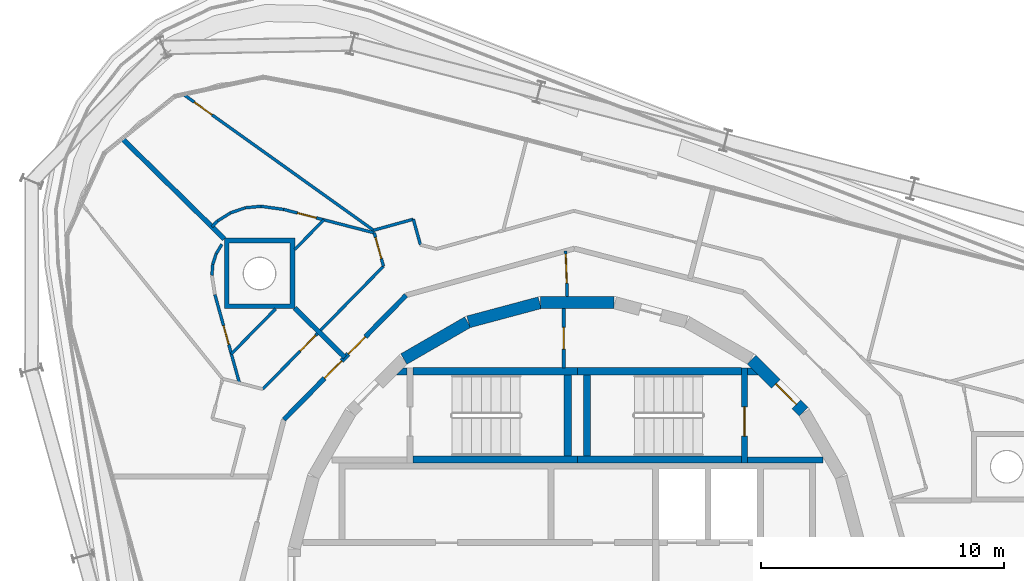
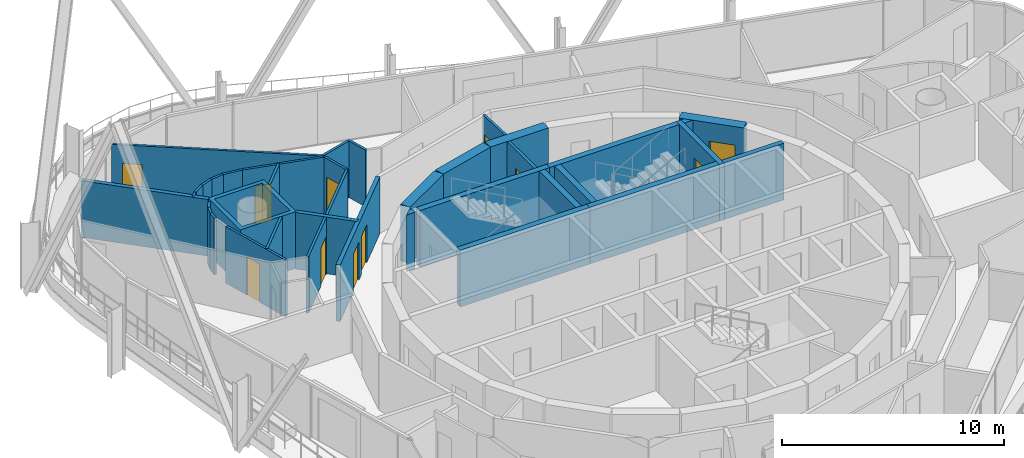
# One storey, part 13 of 18: 37 walls, 11 doors, 11 openings.
"""IFC4 building model written with IfcOpenShell, lengths in metres."""

from ifc_helpers import new_model, si_unit, direction, frame, frame_2d, origin, place, context, subcontext, project, spatial, polyline, rectangle, outline, extrude, material, layer, layer_set, type_object, element, fill, save


model = new_model("IFC4")

# Units and contexts
model_context = context("Model", 3, precision=1e-05, world=origin(), true_north=direction((0.0, 1.0)))
body_context = subcontext(model_context, "Body", "Model", "MODEL_VIEW")
ifc_project = project(units=[si_unit("LENGTHUNIT", "METRE"), si_unit("AREAUNIT", "SQUARE_METRE"), si_unit("VOLUMEUNIT", "CUBIC_METRE"), si_unit("PLANEANGLEUNIT", "RADIAN"), si_unit("MASSUNIT", "GRAM", prefix="KILO")], contexts=[model_context])

# Site, building, storey
site_placement = place(None, origin())
site = spatial("IfcSite", under=ifc_project, at=site_placement, CompositionType="ELEMENT")
building_placement = place(site_placement, origin())
building = spatial("IfcBuilding", under=site, at=building_placement, Name="Spindle Arch Residences", CompositionType="ELEMENT")
storey_placement = place(building_placement, frame((0.0, 0.0, 298.199951171875)))
storey = spatial("IfcBuildingStorey", under=building, at=storey_placement, Name="L76", CompositionType="ELEMENT", Elevation=298.199951171875)

# Wall, opening, door
ifc_material_1 = material(Name="Concrete C50/60", Category="concrete")
ifc_layer_1 = layer(ifc_material_1, 0.5)
ifc_layer_set_1 = layer_set([ifc_layer_1], Name="Core outline wall 500")
wall_type_1 = type_object("IfcWallType", Name="Core outline wall 500", PredefinedType="SHEAR", material=ifc_layer_set_1)
wall_1_placement = place(storey_placement, frame((9.30810546875, 7.163818359375, 0.0), z_axis=(0.0, 0.0, 1.0), x_axis=(-0.707106781187, 0.707106781187, 0.0)))
wall_1 = element("IfcWall", 1, at=wall_1_placement, inside=storey, type_object=wall_type_1, Name="Core outline wall 9", PredefinedType="SHEAR", context=body_context, shape_type="SweptSolid", body=[
    extrude(rectangle(XDim=3.032470703125, YDim=0.5, at=frame_2d((1.51611328125, 0.0))), origin(), (0.0, 0.0, 1.0), 3.1201171875),
])
opening_1_placement = place(wall_1_placement, frame((0.416259765625, 0.0, 0.0)))
opening_1 = element("IfcOpeningElement", 2, at=opening_1_placement, cuts=wall_1, Name="Opening R8A0-AD01", PredefinedType="OPENING", context=body_context, shape_type="SweptSolid", body=[
    extrude(rectangle(XDim=1.199951171875, YDim=2.10009765625, at=frame_2d((0.60009765625, 1.050048828125))), frame((0.0, 0.260009765625, 0.0), z_axis=(0.0, -1.0, 0.0), x_axis=(1.0, 0.0, 0.0)), (0.0, 0.0, 1.0), 0.52001953125),
])
ifc_material_2 = material(Name="Steel, fire-resisting door", Category="steel")
door_type_1 = type_object("IfcDoorType", Name="Stair airlock door 1200x2100", OperationType="SINGLE_SWING_LEFT", PredefinedType="DOOR", material=ifc_material_2)
door_1_placement = place(opening_1_placement, origin())
door_1 = element("IfcDoor", 3, at=door_1_placement, inside=storey, type_object=door_type_1, Name="Stair airlock door R8A0-AD01", OperationType="SINGLE_SWING_RIGHT", OverallHeight=2.10009765625, OverallWidth=1.199951171875, PredefinedType="DOOR", context=body_context, shape_type="SweptSolid", body=[
    extrude(rectangle(XDim=1.199951171875, YDim=2.10009765625, at=frame_2d((0.60009765625, 1.050048828125))), frame((0.0, 0.02490234375, 0.0), z_axis=(0.0, -1.0, 0.0), x_axis=(1.0, 0.0, 0.0)), (0.0, 0.0, 1.0), 0.050048828125),
])
fill(opening_1, door_1)

# Walls
for number, where, z_axis, x_axis, name in (
    (4, (1.516357421875, 11.647216796875, 0.0), (0.0, 0.0, 1.0), (-1.0, 0.0, 0.0), "Core outline wall 12"),
    (5, (-1.5498046875, 11.642822265625, 0.0), (0.0, 0.0, 1.0), (-0.965948410781, -0.258734743916, 0.0), "Core outline wall 13"),
    (6, (-4.510498046875, 10.84521484375, 0.0), (0.0, 0.0, 1.0), (-0.865975092491, -0.500087131594, 0.0), "Core outline wall 14"),
):
    element("IfcWall", number, at=place(storey_placement, frame(where, z_axis=z_axis, x_axis=x_axis)), inside=storey, type_object=wall_type_1, Name=name, PredefinedType="SHEAR", context=body_context, shape_type="SweptSolid", body=[
        extrude(rectangle(XDim=3.03271484375, YDim=0.5, at=frame_2d((1.516357421875, 0.0))), origin(), (0.0, 0.0, 1.0), 3.1201171875),
    ])

# Wall, opening, door
ifc_material_3 = material(Name="Plasterboard on steel studs", Category="steel")
ifc_layer_2 = layer(ifc_material_3, 0.1201171875)
ifc_layer_set_2 = layer_set([ifc_layer_2], Name="Corridor division wall 120")
wall_type_2 = type_object("IfcWallType", Name="Corridor division wall 120", PredefinedType="PARTITIONING", material=ifc_layer_set_2)
wall_2_placement = place(storey_placement, frame((-0.48095703125, 13.7724609375, 0.0), z_axis=(0.0, 0.0, 1.0), x_axis=(0.034870071203, -0.999391854146, 0.0)))
wall_2 = element("IfcWall", 7, at=wall_2_placement, inside=storey, type_object=wall_type_2, Name="Corridor division wall R8A0-W001", PredefinedType="PARTITIONING", context=body_context, shape_type="SweptSolid", body=[
    extrude(rectangle(XDim=1.87646484375, YDim=0.1201171875, at=frame_2d((0.938232421875, 0.0))), origin(), (0.0, 0.0, 1.0), 3.1201171875),
])
opening_2_placement = place(wall_2_placement, frame((0.125, 0.0, 0.0)))
opening_2 = element("IfcOpeningElement", 8, at=opening_2_placement, cuts=wall_2, Name="Opening R8A0-CD01", PredefinedType="OPENING", context=body_context, shape_type="SweptSolid", body=[
    extrude(rectangle(XDim=1.199951171875, YDim=2.10009765625, at=frame_2d((0.60009765625, 1.050048828125))), frame((0.0, 0.070068359375, 0.0), z_axis=(0.0, -1.0, 0.0), x_axis=(1.0, 0.0, 0.0)), (0.0, 0.0, 1.0), 0.14013671875),
])
ifc_material_4 = material(Name="Steel, fire-resisting door", Category="steel")
door_type_2 = type_object("IfcDoorType", Name="Corridor division door 1200x2100", OperationType="NOTDEFINED", PredefinedType="DOOR", material=ifc_material_4)
door_2_placement = place(opening_2_placement, origin())
door_2 = element("IfcDoor", 9, at=door_2_placement, inside=storey, type_object=door_type_2, Name="Corridor division door R8A0-CD01", OperationType="DOUBLE_DOOR_SINGLE_SWING", OverallHeight=2.10009765625, OverallWidth=1.199951171875, PredefinedType="DOOR", context=body_context, shape_type="SweptSolid", body=[
    extrude(rectangle(XDim=1.199951171875, YDim=2.10009765625, at=frame_2d((0.60009765625, 1.050048828125))), frame((0.0, 0.02490234375, 0.0), z_axis=(0.0, -1.0, 0.0), x_axis=(1.0, 0.0, 0.0)), (0.0, 0.0, 1.0), 0.050048828125),
])
fill(opening_2, door_2)

# Wall, openings, doors
ifc_material_5 = material(Name="Calcium silicate block, plastered")
ifc_layer_3 = layer(ifc_material_5, 0.199951171875)
ifc_layer_set_3 = layer_set([ifc_layer_3], Name="Corridor wall 200")
wall_type_3 = type_object("IfcWallType", Name="Corridor wall 200", PredefinedType="STANDARD", material=ifc_layer_set_3)
wall_3_placement = place(storey_placement, frame((-7.041015625, 11.953125, 0.0), z_axis=(0.0, 0.0, 1.0), x_axis=(-0.70090916255, -0.713250549143, 0.0)))
wall_3 = element("IfcWall", 10, at=wall_3_placement, inside=storey, type_object=wall_type_3, Name="Corridor wall R8A0-W012", PredefinedType="STANDARD", context=body_context, shape_type="SweptSolid", body=[
    extrude(rectangle(XDim=7.180908203125, YDim=0.199951171875, at=frame_2d((3.59033203125, 0.0))), origin(), (0.0, 0.0, 1.0), 3.1201171875),
])
opening_3_placement = place(wall_3_placement, frame((2.390380859375, 0.0, 0.0)))
opening_3 = element("IfcOpeningElement", 11, at=opening_3_placement, cuts=wall_3, Name="Opening R8A0-FD02", PredefinedType="OPENING", context=body_context, shape_type="SweptSolid", body=[
    extrude(rectangle(XDim=1.0, YDim=2.10009765625, at=frame_2d((0.5, 1.050048828125))), frame((0.0, 0.10986328125, 0.0), z_axis=(0.0, -1.0, 0.0), x_axis=(1.0, 0.0, 0.0)), (0.0, 0.0, 1.0), 0.219970703125),
])
opening_4_placement = place(wall_3_placement, frame((3.79052734375, 0.0, 0.0)))
opening_4 = element("IfcOpeningElement", 12, at=opening_4_placement, cuts=wall_3, Name="Opening R8A0-FD03", PredefinedType="OPENING", context=body_context, shape_type="SweptSolid", body=[
    extrude(rectangle(XDim=1.0, YDim=2.10009765625, at=frame_2d((0.5, 1.050048828125))), frame((0.0, 0.10986328125, 0.0), z_axis=(0.0, -1.0, 0.0), x_axis=(1.0, 0.0, 0.0)), (0.0, 0.0, 1.0), 0.219970703125),
])
ifc_material_6 = material(Name="Timber, fire-resisting door set", Category="wood")
door_type_3 = type_object("IfcDoorType", Name="Flat entrance door 1000x2100", OperationType="NOTDEFINED", PredefinedType="DOOR", material=ifc_material_6)
door_3_placement = place(opening_3_placement, origin())
door_3 = element("IfcDoor", 13, at=door_3_placement, inside=storey, type_object=door_type_3, Name="Flat entrance door R8A0-FD02", OperationType="SINGLE_SWING_RIGHT", OverallHeight=2.10009765625, OverallWidth=1.0, PredefinedType="DOOR", context=body_context, shape_type="SweptSolid", body=[
    extrude(rectangle(XDim=1.0, YDim=2.10009765625, at=frame_2d((0.5, 1.050048828125))), frame((0.0, 0.02490234375, 0.0), z_axis=(0.0, -1.0, 0.0), x_axis=(1.0, 0.0, 0.0)), (0.0, 0.0, 1.0), 0.050048828125),
])
fill(opening_3, door_3)
door_4_placement = place(opening_4_placement, origin())
door_4 = element("IfcDoor", 14, at=door_4_placement, inside=storey, type_object=door_type_3, Name="Flat entrance door R8A0-FD03", OperationType="SINGLE_SWING_LEFT", OverallHeight=2.10009765625, OverallWidth=1.0, PredefinedType="DOOR", context=body_context, shape_type="SweptSolid", body=[
    extrude(rectangle(XDim=1.0, YDim=2.10009765625, at=frame_2d((0.5, 1.050048828125))), frame((0.0, 0.02490234375, 0.0), z_axis=(0.0, -1.0, 0.0), x_axis=(1.0, 0.0, 0.0)), (0.0, 0.0, 1.0), 0.050048828125),
])
fill(opening_4, door_4)

# Walls
ifc_material_7 = material(Name="Plasterboard on steel studs", Category="steel")
ifc_layer_4 = layer(ifc_material_7, 0.1201171875)
ifc_layer_set_4 = layer_set([ifc_layer_4], Name="Flat partition 120")
wall_type_4 = type_object("IfcWallType", Name="Flat partition 120", PredefinedType="PARTITIONING", material=ifc_layer_set_4)
wall_4_placement = place(storey_placement, frame((-6.45458984375, 14.027587890625, 0.0), z_axis=(0.0, 0.0, 1.0), x_axis=(-0.267355376842, 0.963597998376, 0.0)))
element("IfcWall", 15, at=wall_4_placement, inside=storey, type_object=wall_type_4, Name="Flat partition R8A0-W046", PredefinedType="PARTITIONING", context=body_context, shape_type="SweptSolid", body=[
    extrude(rectangle(XDim=1.09130859375, YDim=0.1201171875, at=frame_2d((0.545654296875, 0.0))), origin(), (0.0, 0.0, 1.0), 3.1201171875),
])
wall_5_placement = place(storey_placement, frame((-6.746337890625, 15.0791015625, 0.0), z_axis=(0.0, 0.0, 1.0), x_axis=(-0.963624820233, -0.267258687102, 0.0)))
element("IfcWall", 16, at=wall_5_placement, inside=storey, type_object=wall_type_4, Name="Flat partition R8A0-W047", PredefinedType="PARTITIONING", context=body_context, shape_type="SweptSolid", body=[
    extrude(rectangle(XDim=1.699951171875, YDim=0.1201171875, at=frame_2d((0.85009765625, 0.0))), origin(), (0.0, 0.0, 1.0), 3.1201171875),
])

# Wall, opening, door
wall_6_placement = place(storey_placement, frame((-8.35498046875, 14.51904296875, 0.0), z_axis=(0.0, 0.0, 1.0), x_axis=(0.267052638692, -0.963681943469, 0.0)))
wall_6 = element("IfcWall", 17, at=wall_6_placement, inside=storey, type_object=wall_type_4, Name="Flat partition R8A0-W048", PredefinedType="PARTITIONING", context=body_context, shape_type="SweptSolid", body=[
    extrude(rectangle(XDim=1.427001953125, YDim=0.1201171875, at=frame_2d((0.71337890625, 0.0))), origin(), (0.0, 0.0, 1.0), 3.1201171875),
])
opening_5_placement = place(wall_6_placement, frame((0.199951171875, 0.0, 0.0)))
opening_5 = element("IfcOpeningElement", 18, at=opening_5_placement, cuts=wall_6, Name="Opening R8A0-ID07", PredefinedType="OPENING", context=body_context, shape_type="SweptSolid", body=[
    extrude(rectangle(XDim=0.89990234375, YDim=2.10009765625, at=frame_2d((0.449951171875, 1.050048828125))), frame((0.0, 0.070068359375, 0.0), z_axis=(0.0, -1.0, 0.0), x_axis=(1.0, 0.0, 0.0)), (0.0, 0.0, 1.0), 0.14013671875),
])
ifc_material_8 = material(Name="Timber door set", Category="wood")
door_type_4 = type_object("IfcDoorType", Name="Room door 900x2100", OperationType="NOTDEFINED", PredefinedType="DOOR", material=ifc_material_8)
door_5_placement = place(opening_5_placement, origin())
door_5 = element("IfcDoor", 19, at=door_5_placement, inside=storey, type_object=door_type_4, Name="Room door R8A0-ID07", OperationType="SINGLE_SWING_LEFT", OverallHeight=2.10009765625, OverallWidth=0.89990234375, PredefinedType="DOOR", context=body_context, shape_type="SweptSolid", body=[
    extrude(rectangle(XDim=0.89990234375, YDim=2.10009765625, at=frame_2d((0.449951171875, 1.050048828125))), frame((0.0, 0.02490234375, 0.0), z_axis=(0.0, -1.0, 0.0), x_axis=(1.0, 0.0, 0.0)), (0.0, 0.0, 1.0), 0.050048828125),
])
fill(opening_5, door_5)

wall_7_placement = place(storey_placement, frame((-7.973876953125, 13.143798828125, 0.0), z_axis=(0.0, 0.0, 1.0), x_axis=(-0.700910366085, -0.713249366432, 0.0)))
wall_7 = element("IfcWall", 20, at=wall_7_placement, inside=storey, type_object=wall_type_4, Name="Flat partition R8A0-W049", PredefinedType="PARTITIONING", context=body_context, shape_type="SweptSolid", body=[
    extrude(rectangle(XDim=7.08349609375, YDim=0.1201171875, at=frame_2d((3.541748046875, 0.0))), origin(), (0.0, 0.0, 1.0), 3.1201171875),
])
opening_6_placement = place(wall_7_placement, frame((3.986083984375, 0.0, 0.0)))
opening_6 = element("IfcOpeningElement", 21, at=opening_6_placement, cuts=wall_7, Name="Opening R8A0-ID09", PredefinedType="OPENING", context=body_context, shape_type="SweptSolid", body=[
    extrude(rectangle(XDim=0.89990234375, YDim=2.10009765625, at=frame_2d((0.449951171875, 1.050048828125))), frame((0.0, 0.070068359375, 0.0), z_axis=(0.0, -1.0, 0.0), x_axis=(1.0, 0.0, 0.0)), (0.0, 0.0, 1.0), 0.14013671875),
])
door_6_placement = place(opening_6_placement, origin())
door_6 = element("IfcDoor", 22, at=door_6_placement, inside=storey, type_object=door_type_4, Name="Room door R8A0-ID09", OperationType="SINGLE_SWING_LEFT", OverallHeight=2.10009765625, OverallWidth=0.89990234375, PredefinedType="DOOR", context=body_context, shape_type="SweptSolid", body=[
    extrude(rectangle(XDim=0.89990234375, YDim=2.10009765625, at=frame_2d((0.449951171875, 1.050048828125))), frame((0.0, 0.02490234375, 0.0), z_axis=(0.0, -1.0, 0.0), x_axis=(1.0, 0.0, 0.0)), (0.0, 0.0, 1.0), 0.050048828125),
])
fill(opening_6, door_6)

wall_8_placement = place(storey_placement, frame((-16.165283203125, 20.18798828125, 0.0), z_axis=(0.0, 0.0, 1.0), x_axis=(0.813459166979, -0.581622028175, 0.0)))
wall_8 = element("IfcWall", 23, at=wall_8_placement, inside=storey, type_object=wall_type_4, Name="Flat partition R8A0-W051", PredefinedType="PARTITIONING", context=body_context, shape_type="SweptSolid", body=[
    extrude(rectangle(XDim=9.56494140625, YDim=0.1201171875, at=frame_2d((4.782470703125, 0.0))), origin(), (0.0, 0.0, 1.0), 3.1201171875),
])
opening_7_placement = place(wall_8_placement, frame((0.5, 0.0, 0.0)))
opening_7 = element("IfcOpeningElement", 24, at=opening_7_placement, cuts=wall_8, Name="Opening R8A0-ID08", PredefinedType="OPENING", context=body_context, shape_type="SweptSolid", body=[
    extrude(rectangle(XDim=0.89990234375, YDim=2.10009765625, at=frame_2d((0.449951171875, 1.050048828125))), frame((0.0, 0.070068359375, 0.0), z_axis=(0.0, -1.0, 0.0), x_axis=(1.0, 0.0, 0.0)), (0.0, 0.0, 1.0), 0.14013671875),
])
door_7_placement = place(opening_7_placement, origin())
door_7 = element("IfcDoor", 25, at=door_7_placement, inside=storey, type_object=door_type_4, Name="Room door R8A0-ID08", OperationType="SINGLE_SWING_RIGHT", OverallHeight=2.10009765625, OverallWidth=0.89990234375, PredefinedType="DOOR", context=body_context, shape_type="SweptSolid", body=[
    extrude(rectangle(XDim=0.89990234375, YDim=2.10009765625, at=frame_2d((0.449951171875, 1.050048828125))), frame((0.0, 0.02490234375, 0.0), z_axis=(0.0, -1.0, 0.0), x_axis=(1.0, 0.0, 0.0)), (0.0, 0.0, 1.0), 0.050048828125),
])
fill(opening_7, door_7)

wall_9_placement = place(storey_placement, frame((-8.35498046875, 14.51904296875, 0.0), z_axis=(0.0, 0.0, 1.0), x_axis=(-0.968146911612, 0.250382821969, 0.0)))
wall_9 = element("IfcWall", 26, at=wall_9_placement, inside=storey, type_object=wall_type_4, Name="Flat partition R8A0-W052", PredefinedType="PARTITIONING", context=body_context, shape_type="SweptSolid", body=[
    extrude(rectangle(XDim=3.8466796875, YDim=0.1201171875, at=frame_2d((1.92333984375, 0.0))), origin(), (0.0, 0.0, 1.0), 3.1201171875),
])
opening_8_placement = place(wall_9_placement, frame((2.458251953125, 0.0, 0.0)))
opening_8 = element("IfcOpeningElement", 27, at=opening_8_placement, cuts=wall_9, Name="Opening R8A0-BD02", PredefinedType="OPENING", context=body_context, shape_type="SweptSolid", body=[
    extrude(rectangle(XDim=0.800048828125, YDim=2.10009765625, at=frame_2d((0.39990234375, 1.050048828125))), frame((0.0, 0.070068359375, 0.0), z_axis=(0.0, -1.0, 0.0), x_axis=(1.0, 0.0, 0.0)), (0.0, 0.0, 1.0), 0.14013671875),
])
ifc_material_9 = material(Name="Timber door set", Category="wood")
door_type_5 = type_object("IfcDoorType", Name="Bathroom door 800x2100", OperationType="NOTDEFINED", PredefinedType="DOOR", material=ifc_material_9)
door_8_placement = place(opening_8_placement, origin())
door_8 = element("IfcDoor", 28, at=door_8_placement, inside=storey, type_object=door_type_5, Name="Bathroom door R8A0-BD02", OperationType="SINGLE_SWING_LEFT", OverallHeight=2.10009765625, OverallWidth=0.800048828125, PredefinedType="DOOR", context=body_context, shape_type="SweptSolid", body=[
    extrude(rectangle(XDim=0.800048828125, YDim=2.10009765625, at=frame_2d((0.39990234375, 1.050048828125))), frame((0.0, 0.02490234375, 0.0), z_axis=(0.0, -1.0, 0.0), x_axis=(1.0, 0.0, 0.0)), (0.0, 0.0, 1.0), 0.050048828125),
])
fill(opening_8, door_8)

# Walls
wall_10_placement = place(storey_placement, frame((-10.42529296875, 15.054443359375, 0.0), z_axis=(0.0, 0.0, 1.0), x_axis=(-0.700866383264, -0.713292585698, 0.0)))
element("IfcWall", 29, at=wall_10_placement, inside=storey, type_object=wall_type_4, Name="Flat partition R8A0-W053", PredefinedType="PARTITIONING", context=body_context, shape_type="SweptSolid", body=[
    extrude(rectangle(XDim=1.709228515625, YDim=0.1201171875, at=frame_2d((0.8544921875, 0.0))), origin(), (0.0, 0.0, 1.0), 3.1201171875),
])
wall_11_placement = place(storey_placement, frame((-15.031982421875, 14.771728515625, 0.0), z_axis=(0.0, 0.0, 1.0), x_axis=(0.701378407906, 0.712789119532, 0.0)))
element("IfcWall", 30, at=wall_11_placement, inside=storey, type_object=wall_type_4, Name="Flat partition R8A0-W054", PredefinedType="PARTITIONING", context=body_context, shape_type="SweptSolid", body=[
    extrude(rectangle(XDim=0.321044921875, YDim=0.1201171875, at=frame_2d((0.16064453125, 0.0))), origin(), (0.0, 0.0, 1.0), 3.1201171875),
])
wall_12_placement = place(storey_placement, frame((-14.806884765625, 15.00048828125, 0.0), z_axis=(0.0, 0.0, 1.0), x_axis=(0.846499451836, 0.532389592349, 0.0)))
element("IfcWall", 31, at=wall_12_placement, inside=storey, type_object=wall_type_4, Name="Flat partition R8A0-W055", PredefinedType="PARTITIONING", context=body_context, shape_type="SweptSolid", body=[
    extrude(rectangle(XDim=0.64208984375, YDim=0.1201171875, at=frame_2d((0.321044921875, 0.0))), origin(), (0.0, 0.0, 1.0), 3.1201171875),
])
for number, where, z_axis, x_axis, name in (
    (32, (-14.263427734375, 15.34228515625, 0.0), (0.0, 0.0, 1.0), (0.946415093137, 0.322952738775, 0.0), "Flat partition R8A0-W056"),
    (33, (-13.656005859375, 15.549560546875, 0.0), (0.0, 0.0, 1.0), (0.995395778839, 0.095850109388, 0.0), "Flat partition R8A0-W057"),
):
    element("IfcWall", number, at=place(storey_placement, frame(where, z_axis=z_axis, x_axis=x_axis)), inside=storey, type_object=wall_type_4, Name=name, PredefinedType="PARTITIONING", context=body_context, shape_type="SweptSolid", body=[
        extrude(rectangle(XDim=0.641845703125, YDim=0.1201171875, at=frame_2d((0.32080078125, 0.0))), origin(), (0.0, 0.0, 1.0), 3.1201171875),
    ])
wall_13_placement = place(storey_placement, frame((-13.01708984375, 15.611083984375, 0.0), z_axis=(0.0, 0.0, 1.0), x_axis=(0.990688406717, -0.136148745119, 0.0)))
element("IfcWall", 34, at=wall_13_placement, inside=storey, type_object=wall_type_4, Name="Flat partition R8A0-W058", PredefinedType="PARTITIONING", context=body_context, shape_type="SweptSolid", body=[
    extrude(rectangle(XDim=0.94677734375, YDim=0.1201171875, at=frame_2d((0.473388671875, 0.0))), origin(), (0.0, 0.0, 1.0), 3.1201171875),
])

# Wall, opening, door
wall_14_placement = place(storey_placement, frame((-13.898681640625, 8.33984375, 0.0), z_axis=(0.0, 0.0, 1.0), x_axis=(-0.267286775597, 0.963617029525, 0.0)))
wall_14 = element("IfcWall", 35, at=wall_14_placement, inside=storey, type_object=wall_type_4, Name="Flat partition R8A0-W063", PredefinedType="PARTITIONING", context=body_context, shape_type="SweptSolid", body=[
    extrude(rectangle(XDim=3.773193359375, YDim=0.1201171875, at=frame_2d((1.88671875, 0.0))), origin(), (0.0, 0.0, 1.0), 3.1201171875),
])
opening_9_placement = place(wall_14_placement, frame((1.645751953125, 0.0, 0.0)))
opening_9 = element("IfcOpeningElement", 36, at=opening_9_placement, cuts=wall_14, Name="Opening R8A0-BD03", PredefinedType="OPENING", context=body_context, shape_type="SweptSolid", body=[
    extrude(rectangle(XDim=0.800048828125, YDim=2.10009765625, at=frame_2d((0.39990234375, 1.050048828125))), frame((0.0, 0.070068359375, 0.0), z_axis=(0.0, -1.0, 0.0), x_axis=(1.0, 0.0, 0.0)), (0.0, 0.0, 1.0), 0.14013671875),
])
door_9_placement = place(opening_9_placement, origin())
door_9 = element("IfcDoor", 37, at=door_9_placement, inside=storey, type_object=door_type_5, Name="Bathroom door R8A0-BD03", OperationType="SINGLE_SWING_RIGHT", OverallHeight=2.10009765625, OverallWidth=0.800048828125, PredefinedType="DOOR", context=body_context, shape_type="SweptSolid", body=[
    extrude(rectangle(XDim=0.800048828125, YDim=2.10009765625, at=frame_2d((0.39990234375, 1.050048828125))), frame((0.0, 0.02490234375, 0.0), z_axis=(0.0, -1.0, 0.0), x_axis=(1.0, 0.0, 0.0)), (0.0, 0.0, 1.0), 0.050048828125),
])
fill(opening_9, door_9)

# Walls
for number, where, z_axis, x_axis, name in (
    (38, (-15.031005859375, 12.773193359375, 0.0), (0.0, 0.0, 1.0), (0.078379560664, 0.996923590086, 0.0), "Flat partition R8A0-W065"),
    (39, (-14.995361328125, 13.2265625, 0.0), (0.0, 0.0, 1.0), (0.30590494568, 0.952062059011, 0.0), "Flat partition R8A0-W066"),
    (40, (-14.856201171875, 13.65966796875, 0.0), (0.0, 0.0, 1.0), (0.517885366955, 0.855450025831, 0.0), "Flat partition R8A0-W067"),
):
    element("IfcWall", number, at=place(storey_placement, frame(where, z_axis=z_axis, x_axis=x_axis)), inside=storey, type_object=wall_type_4, Name=name, PredefinedType="PARTITIONING", context=body_context, shape_type="SweptSolid", body=[
        extrude(rectangle(XDim=0.454833984375, YDim=0.1201171875, at=frame_2d((0.2275390625, 0.0))), origin(), (0.0, 0.0, 1.0), 3.1201171875),
    ])
wall_15_placement = place(storey_placement, frame((-14.231689453125, 9.540283203125, 0.0), z_axis=(0.0, 0.0, 1.0), x_axis=(0.700890401548, 0.713268985038, 0.0)))
element("IfcWall", 41, at=wall_15_placement, inside=storey, type_object=wall_type_4, Name="Flat partition R8A0-W069", PredefinedType="PARTITIONING", context=body_context, shape_type="SweptSolid", body=[
    extrude(rectangle(XDim=2.603515625, YDim=0.1201171875, at=frame_2d((1.3017578125, 0.0))), origin(), (0.0, 0.0, 1.0), 3.1201171875),
])
ifc_material_10 = material(Name="Calcium silicate block, plastered")
ifc_layer_5 = layer(ifc_material_10, 0.199951171875)
ifc_layer_set_5 = layer_set([ifc_layer_5], Name="Flat party wall 200")
wall_type_5 = type_object("IfcWallType", Name="Flat party wall 200", PredefinedType="STANDARD", material=ifc_layer_set_5)
wall_16_placement = place(storey_placement, frame((-11.623291015625, 11.422119140625, 0.0), z_axis=(0.0, 0.0, 1.0), x_axis=(0.713233657229, -0.700926351478, 0.0)))
element("IfcWall", 42, at=wall_16_placement, inside=storey, type_object=wall_type_5, Name="Flat party wall R8A0-W026", PredefinedType="STANDARD", context=body_context, shape_type="SweptSolid", body=[
    extrude(rectangle(XDim=2.896240234375, YDim=0.199951171875, at=frame_2d((1.4482421875, 0.0))), origin(), (0.0, 0.0, 1.0), 3.1201171875),
])
wall_17_placement = place(storey_placement, frame((-18.74072265625, 18.41650390625, 0.0), z_axis=(0.0, 0.0, 1.0), x_axis=(0.713252414586, -0.700907264256, 0.0)))
element("IfcWall", 43, at=wall_17_placement, inside=storey, type_object=wall_type_5, Name="Flat party wall R8A0-W027", PredefinedType="STANDARD", context=body_context, shape_type="SweptSolid", body=[
    extrude(rectangle(XDim=5.9130859375, YDim=0.199951171875, at=frame_2d((2.95654296875, 0.0))), origin(), (0.0, 0.0, 1.0), 3.1201171875),
])
ifc_material_11 = material(Name="Calcium silicate block, plastered")
ifc_layer_6 = layer(ifc_material_11, 0.199951171875)
ifc_layer_set_6 = layer_set([ifc_layer_6], Name="Mega-column casing wall 200")
wall_type_6 = type_object("IfcWallType", Name="Mega-column casing wall 200", PredefinedType="STANDARD", material=ifc_layer_set_6)
wall_18_placement = place(storey_placement, origin())
element("IfcWall", 44, at=wall_18_placement, inside=storey, type_object=wall_type_6, Name="Mega-column casing wall R8A0-WC02", PredefinedType="STANDARD", context=body_context, shape_type="SweptSolid", body=[
    extrude(outline(polyline([(-11.623291015625, 14.297119140625), (-11.623291015625, 11.397216796875), (-14.523193359375, 11.397216796875), (-14.523193359375, 14.297119140625), (-11.623291015625, 14.297119140625)]), holes=[polyline([(-14.3232421875, 11.59716796875), (-11.8232421875, 11.59716796875), (-11.8232421875, 14.09716796875), (-14.3232421875, 14.09716796875), (-14.3232421875, 11.59716796875)])]), origin(), (0.0, 0.0, 1.0), 3.1201171875),
])

# Wall, opening, door
ifc_material_12 = material(Name="Concrete C25/30", Category="concrete")
ifc_layer_7 = layer(ifc_material_12, 0.14990234375)
ifc_layer_set_7 = layer_set([ifc_layer_7], Name="Service room partition 150")
wall_type_7 = type_object("IfcWallType", Name="Service room partition 150", PredefinedType="PARTITIONING", material=ifc_layer_set_7)
wall_19_placement = place(storey_placement, frame((-0.5615234375, 8.969970703125, 0.0), z_axis=(0.0, 0.0, 1.0), x_axis=(0.0, 1.0, 0.0)))
wall_19 = element("IfcWall", 45, at=wall_19_placement, inside=storey, type_object=wall_type_7, Name="Core service room partition", PredefinedType="PARTITIONING", context=body_context, shape_type="SweptSolid", body=[
    extrude(rectangle(XDim=2.42724609375, YDim=0.14990234375, at=frame_2d((1.213623046875, 0.0))), origin(), (0.0, 0.0, 1.0), 3.1201171875),
])
opening_10_placement = place(wall_19_placement, frame((0.763671875, 0.0, 0.0)))
opening_10 = element("IfcOpeningElement", 46, at=opening_10_placement, cuts=wall_19, Name="Opening R8A0-WD06", PredefinedType="OPENING", context=body_context, shape_type="SweptSolid", body=[
    extrude(rectangle(XDim=0.89990234375, YDim=2.10009765625, at=frame_2d((0.449951171875, 1.050048828125))), frame((0.0, 0.0849609375, 0.0), z_axis=(0.0, -1.0, 0.0), x_axis=(1.0, 0.0, 0.0)), (0.0, 0.0, 1.0), 0.169921875),
])
ifc_material_13 = material(Name="Steel, fire-resisting door", Category="steel")
door_type_6 = type_object("IfcDoorType", Name="Service room door 900x2100", OperationType="SINGLE_SWING_LEFT", PredefinedType="DOOR", material=ifc_material_13)
door_10_placement = place(opening_10_placement, origin())
door_10 = element("IfcDoor", 47, at=door_10_placement, inside=storey, type_object=door_type_6, Name="Service room door R8A0-WD06", OperationType="SINGLE_SWING_RIGHT", OverallHeight=2.10009765625, OverallWidth=0.89990234375, PredefinedType="DOOR", context=body_context, shape_type="SweptSolid", body=[
    extrude(rectangle(XDim=0.89990234375, YDim=2.10009765625, at=frame_2d((0.449951171875, 1.050048828125))), frame((0.0, 0.02490234375, 0.0), z_axis=(0.0, -1.0, 0.0), x_axis=(1.0, 0.0, 0.0)), (0.0, 0.0, 1.0), 0.050048828125),
])
fill(opening_10, door_10)

# Walls
ifc_material_14 = material(Name="Concrete C40/50", Category="concrete")
ifc_layer_8 = layer(ifc_material_14, 0.25)
ifc_layer_set_8 = layer_set([ifc_layer_8], Name="Stair airlock wall 250")
wall_type_8 = type_object("IfcWallType", Name="Stair airlock wall 250", PredefinedType="SHEAR", material=ifc_layer_set_8)
wall_20_placement = place(storey_placement, frame((7.0, 5.175048828125, 0.0), z_axis=(0.0, 0.0, 1.0), x_axis=(1.0, 0.0, 0.0)))
element("IfcWall", 48, at=wall_20_placement, inside=storey, type_object=wall_type_8, Name="Stair ST-1 airlock wall S", PredefinedType="SHEAR", context=body_context, shape_type="SweptSolid", body=[
    extrude(rectangle(XDim=3.10009765625, YDim=0.25, at=frame_2d((1.550048828125, 0.0))), origin(), (0.0, 0.0, 1.0), 3.1201171875),
])
ifc_material_15 = material(Name="Concrete C40/50", Category="concrete")
wall_type_9 = type_object("IfcWallType", Name="Stair airlock wall profile", PredefinedType="SHEAR", material=ifc_material_15)
wall_21_placement = place(storey_placement, origin())
element("IfcWall", 49, at=wall_21_placement, inside=storey, type_object=wall_type_9, Name="Stair ST-1 airlock wall N", PredefinedType="SHEAR", context=body_context, shape_type="SweptSolid", body=[
    extrude(outline(polyline([(7.4482421875, 8.669921875), (7.0, 8.669921875), (7.0, 8.969970703125), (7.148193359375, 8.969970703125), (7.4482421875, 8.669921875)])), origin(), (0.0, 0.0, 1.0), 3.1201171875),
])
wall_22_placement = place(storey_placement, origin())
element("IfcWall", 50, at=wall_22_placement, inside=storey, type_object=wall_type_9, Name="Stair ST-2 airlock wall N", PredefinedType="SHEAR", context=body_context, shape_type="SweptSolid", body=[
    extrude(outline(polyline([(-7.148193359375, 8.969970703125), (-7.0, 8.969970703125), (-7.0, 8.669921875), (-7.4482421875, 8.669921875), (-7.148193359375, 8.969970703125)])), origin(), (0.0, 0.0, 1.0), 3.1201171875),
])

# Wall, opening, door
ifc_material_16 = material(Name="Concrete C50/60", Category="concrete")
ifc_layer_9 = layer(ifc_material_16, 0.25)
ifc_layer_set_9 = layer_set([ifc_layer_9], Name="Stair enclosure wall 250")
wall_type_10 = type_object("IfcWallType", Name="Stair enclosure wall 250", PredefinedType="SHEAR", material=ifc_layer_set_9)
wall_23_placement = place(storey_placement, frame((6.875, 5.050048828125, 0.0), z_axis=(0.0, 0.0, 1.0), x_axis=(0.0, 1.0, 0.0)))
wall_23 = element("IfcWall", 51, at=wall_23_placement, inside=storey, type_object=wall_type_10, Name="Stair ST-1 door wall", PredefinedType="SHEAR", context=body_context, shape_type="SweptSolid", body=[
    extrude(rectangle(XDim=3.919921875, YDim=0.25, at=frame_2d((1.9599609375, 0.0))), origin(), (0.0, 0.0, 1.0), 3.1201171875),
])
opening_11_placement = place(wall_23_placement, frame((1.110107421875, 0.0, 0.0)))
opening_11 = element("IfcOpeningElement", 52, at=opening_11_placement, cuts=wall_23, Name="Opening R8A0-SD01", PredefinedType="OPENING", context=body_context, shape_type="SweptSolid", body=[
    extrude(rectangle(XDim=1.199951171875, YDim=2.10009765625, at=frame_2d((0.60009765625, 1.050048828125))), frame((0.0, 0.135009765625, 0.0), z_axis=(0.0, -1.0, 0.0), x_axis=(1.0, 0.0, 0.0)), (0.0, 0.0, 1.0), 0.27001953125),
])
ifc_material_17 = material(Name="Steel, fire-resisting door", Category="steel")
door_type_7 = type_object("IfcDoorType", Name="Stair door 1200x2100", OperationType="SINGLE_SWING_RIGHT", PredefinedType="DOOR", material=ifc_material_17)
door_11_placement = place(opening_11_placement, origin())
door_11 = element("IfcDoor", 53, at=door_11_placement, inside=storey, type_object=door_type_7, Name="Stair door R8A0-SD01", OperationType="SINGLE_SWING_LEFT", OverallHeight=2.10009765625, OverallWidth=1.199951171875, PredefinedType="DOOR", context=body_context, shape_type="SweptSolid", body=[
    extrude(rectangle(XDim=1.199951171875, YDim=2.10009765625, at=frame_2d((0.60009765625, 1.050048828125))), frame((0.0, 0.02490234375, 0.0), z_axis=(0.0, -1.0, 0.0), x_axis=(1.0, 0.0, 0.0)), (0.0, 0.0, 1.0), 0.050048828125),
])
fill(opening_11, door_11)

# Walls
ifc_material_18 = material(Name="Concrete C50/60", Category="concrete")
ifc_layer_10 = layer(ifc_material_18, 0.300048828125)
ifc_layer_set_10 = layer_set([ifc_layer_10], Name="Stair enclosure wall 300")
wall_type_11 = type_object("IfcWallType", Name="Stair enclosure wall 300", PredefinedType="SHEAR", material=ifc_layer_set_10)
for number, where, z_axis, x_axis, name in (
    (54, (0.0, 5.199951171875, 0.0), (0.0, 0.0, 1.0), (1.0, 0.0, 0.0), "Stair ST-1 enclosure wall S"),
    (55, (0.0, 8.820068359375, 0.0), (0.0, 0.0, 1.0), (1.0, 0.0, 0.0), "Stair ST-1 enclosure wall N"),
):
    element("IfcWall", number, at=place(storey_placement, frame(where, z_axis=z_axis, x_axis=x_axis)), inside=storey, type_object=wall_type_11, Name=name, PredefinedType="SHEAR", context=body_context, shape_type="SweptSolid", body=[
        extrude(rectangle(XDim=6.75, YDim=0.300048828125, at=frame_2d((3.375, 0.0))), origin(), (0.0, 0.0, 1.0), 3.1201171875),
    ])
wall_24_placement = place(storey_placement, frame((0.39990234375, 5.35009765625, 0.0), z_axis=(0.0, 0.0, 1.0), x_axis=(0.0, 1.0, 0.0)))
element("IfcWall", 56, at=wall_24_placement, inside=storey, type_object=wall_type_11, Name="Stair ST-1 enclosure wall F", PredefinedType="SHEAR", context=body_context, shape_type="SweptSolid", body=[
    extrude(rectangle(XDim=3.31982421875, YDim=0.300048828125, at=frame_2d((1.659912109375, 0.0))), origin(), (0.0, 0.0, 1.0), 3.1201171875),
])
for number, where, z_axis, x_axis, name in (
    (57, (-6.75, 5.199951171875, 0.0), (0.0, 0.0, 1.0), (1.0, 0.0, 0.0), "Stair ST-2 enclosure wall S"),
    (58, (-6.75, 8.820068359375, 0.0), (0.0, 0.0, 1.0), (1.0, 0.0, 0.0), "Stair ST-2 enclosure wall N"),
):
    element("IfcWall", number, at=place(storey_placement, frame(where, z_axis=z_axis, x_axis=x_axis)), inside=storey, type_object=wall_type_11, Name=name, PredefinedType="SHEAR", context=body_context, shape_type="SweptSolid", body=[
        extrude(rectangle(XDim=6.75, YDim=0.300048828125, at=frame_2d((3.375, 0.0))), origin(), (0.0, 0.0, 1.0), 3.1201171875),
    ])
wall_25_placement = place(storey_placement, frame((-0.39990234375, 5.35009765625, 0.0), z_axis=(0.0, 0.0, 1.0), x_axis=(0.0, 1.0, 0.0)))
element("IfcWall", 59, at=wall_25_placement, inside=storey, type_object=wall_type_11, Name="Stair ST-2 enclosure wall F", PredefinedType="SHEAR", context=body_context, shape_type="SweptSolid", body=[
    extrude(rectangle(XDim=3.31982421875, YDim=0.300048828125, at=frame_2d((1.659912109375, 0.0))), origin(), (0.0, 0.0, 1.0), 3.1201171875),
])

save(model, "model.ifc")
